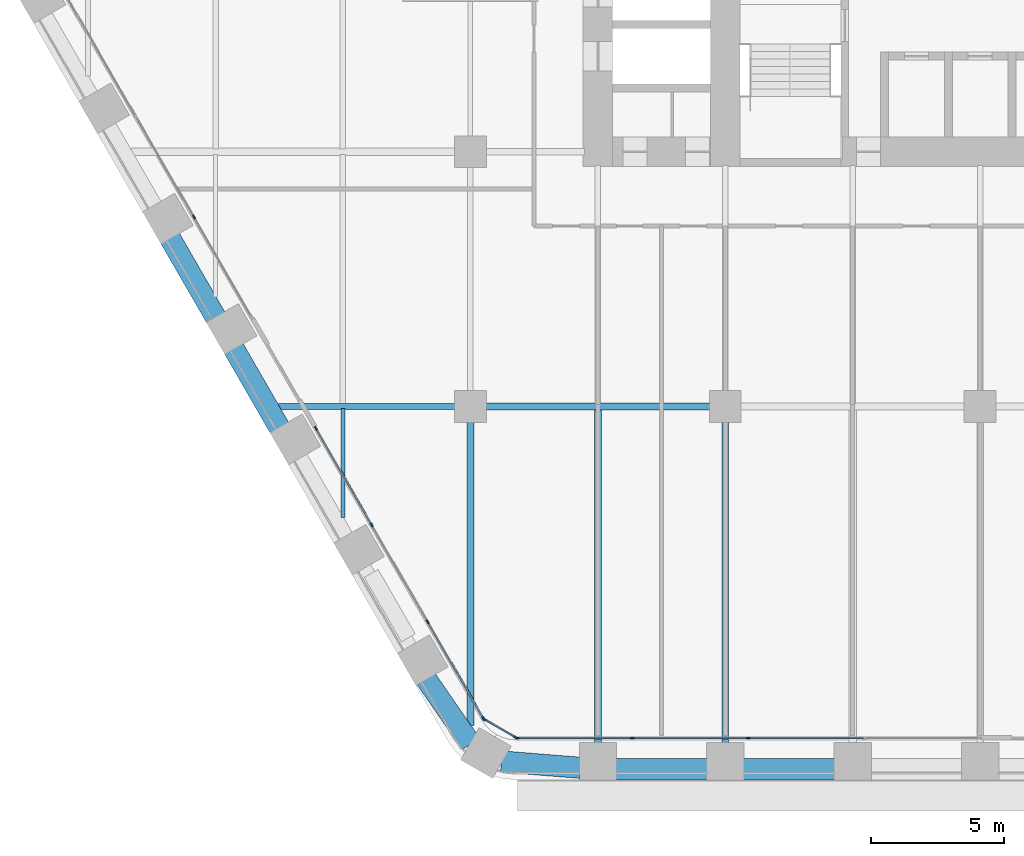
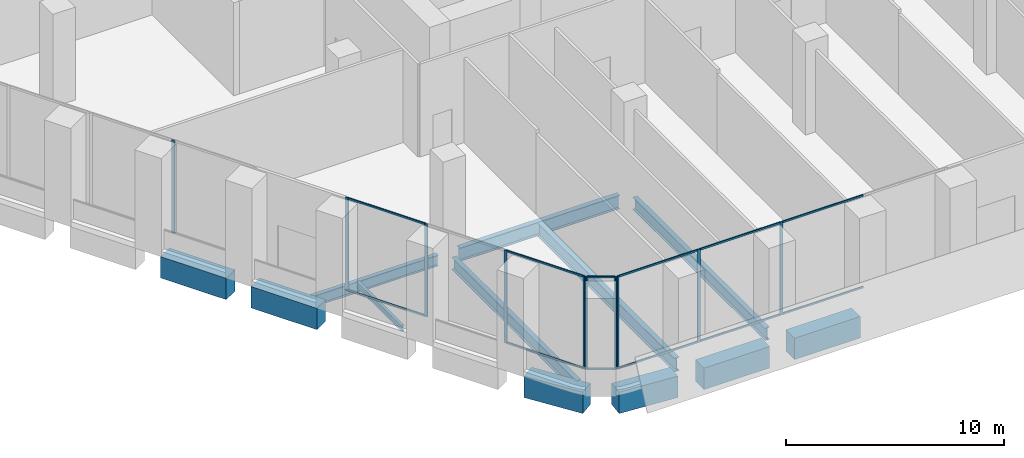
# One storey, part 2 of 27: 22 members, 12 beams, 4 elements without a shape of their own.
"""IFC4 building model written with IfcOpenShell, lengths in metres."""

from ifc_helpers import new_model, si_unit, direction, frame, origin, origin_2d, place, context, subcontext, project, spatial, rectangle, i_section, extrude, material, material_profile, profile_set, type_object, element, aggregate, save


model = new_model("IFC4")

# Units and contexts
model_context = context("Model", 3, precision=1e-05, world=origin(), true_north=direction((0.0, 1.0)))
body_context = subcontext(model_context, "Body", "Model", "MODEL_VIEW")
ifc_project = project(units=[si_unit("LENGTHUNIT", "METRE"), si_unit("AREAUNIT", "SQUARE_METRE"), si_unit("VOLUMEUNIT", "CUBIC_METRE"), si_unit("PLANEANGLEUNIT", "RADIAN"), si_unit("MASSUNIT", "GRAM", prefix="KILO")], contexts=[model_context])

# Site, building, storey
site_placement = place(None, origin())
site = spatial("IfcSite", under=ifc_project, at=site_placement, CompositionType="ELEMENT")
building_placement = place(site_placement, origin())
building = spatial("IfcBuilding", under=site, at=building_placement, Name="Kolab Exchange Tower", CompositionType="ELEMENT")
storey_placement = place(building_placement, frame((0.0, 0.0, 66.39990234375)))
storey = spatial("IfcBuildingStorey", under=building, at=storey_placement, Name="L12", CompositionType="ELEMENT", Elevation=66.39990234375)

# Beams
ifc_material_1 = material(Name="Steel S355", Category="steel")
ifc_material_profile_1 = material_profile(ifc_material_1, i_section(OverallWidth=0.1650390625, OverallDepth=0.31005859375, WebThickness=0.005859375, FlangeThickness=0.009765625, at=origin_2d()), Name="W310X39")
ifc_profile_set_1 = profile_set([ifc_material_profile_1], Name="Steel S355")
beam_type_1 = type_object("IfcBeamType", Name="FLOOR BEAM W310X39", PredefinedType="BEAM", material=ifc_profile_set_1)
beam_1_placement = place(storey_placement, frame((-24.0, -23.381591796875, -0.454833984375), z_axis=(0.0, 1.0, 0.0), x_axis=(-1.0, 0.0, 0.0)))
element("IfcBeam", 1, at=beam_1_placement, inside=storey, type_object=beam_type_1, Name="beam/L12/fr/006", PredefinedType="BEAM", context=body_context, shape_type="SweptSolid", body=[
    extrude(i_section(OverallWidth=0.1650390625, OverallDepth=0.31005859375, WebThickness=0.005859375, FlangeThickness=0.009765625, at=origin_2d()), origin(), (0.0, 0.0, 1.0), 4.107666015625),
])
ifc_material_profile_2 = material_profile(ifc_material_1, i_section(OverallWidth=0.25390625, OverallDepth=0.68408203125, WebThickness=0.012451171875, FlangeThickness=0.018798828125, at=origin_2d()), Name="W690X140")
ifc_profile_set_2 = profile_set([ifc_material_profile_2], Name="Steel S355")
beam_type_2 = type_object("IfcBeamType", Name="FLOOR BEAM W690X140", PredefinedType="BEAM", material=ifc_profile_set_2)
beam_2_placement = place(storey_placement, frame((-19.199951171875, -31.214599609375, -0.641845703125), z_axis=(0.0, 1.0, 0.0), x_axis=(-1.0, 0.0, 0.0)))
element("IfcBeam", 2, at=beam_2_placement, inside=storey, type_object=beam_type_2, Name="beam/L12/fr/012", PredefinedType="BEAM", context=body_context, shape_type="SweptSolid", body=[
    extrude(i_section(OverallWidth=0.25390625, OverallDepth=0.68408203125, WebThickness=0.012451171875, FlangeThickness=0.018798828125, at=origin_2d()), origin(), (0.0, 0.0, 1.0), 11.45458984375),
])
beam_3_placement = place(storey_placement, frame((-9.60009765625, -31.8955078125, -0.641845703125), z_axis=(0.0, 1.0, 0.0), x_axis=(-1.0, 0.0, 0.0)))
element("IfcBeam", 3, at=beam_3_placement, inside=storey, type_object=beam_type_2, Name="beam/L12/fr/022", PredefinedType="BEAM", context=body_context, shape_type="SweptSolid", body=[
    extrude(i_section(OverallWidth=0.25390625, OverallDepth=0.68408203125, WebThickness=0.012451171875, FlangeThickness=0.018798828125, at=origin_2d()), origin(), (0.0, 0.0, 1.0), 12.135498046875),
])
ifc_material_profile_3 = material_profile(ifc_material_1, i_section(OverallWidth=0.26708984375, OverallDepth=0.761962890625, WebThickness=0.014404296875, FlangeThickness=0.021484375, at=origin_2d()), Name="W760X173")
ifc_profile_set_3 = profile_set([ifc_material_profile_3], Name="Steel S355")
beam_type_3 = type_object("IfcBeamType", Name="FLOOR BEAM W760X173", PredefinedType="BEAM", material=ifc_profile_set_3)
beam_4_placement = place(storey_placement, frame((-14.39990234375, -31.8955078125, -0.680908203125), z_axis=(0.0, 1.0, 0.0), x_axis=(-1.0, 0.0, 0.0)))
element("IfcBeam", 4, at=beam_4_placement, inside=storey, type_object=beam_type_3, Name="beam/L12/fr/018", PredefinedType="BEAM", context=body_context, shape_type="SweptSolid", body=[
    extrude(i_section(OverallWidth=0.26708984375, OverallDepth=0.761962890625, WebThickness=0.014404296875, FlangeThickness=0.021484375, at=origin_2d()), origin(), (0.0, 0.0, 1.0), 12.60205078125),
])
ifc_material_profile_4 = material_profile(ifc_material_1, i_section(OverallWidth=0.22802734375, OverallDepth=0.60791015625, WebThickness=0.01123046875, FlangeThickness=0.017333984375, at=origin_2d()), Name="W610X113")
ifc_profile_set_4 = profile_set([ifc_material_profile_4], Name="Steel S355")
beam_type_4 = type_object("IfcBeamType", Name="FLOOR GIRDER W610X113", PredefinedType="BEAM", material=ifc_profile_set_4)
beam_5_placement = place(storey_placement, frame((-26.43115234375, -19.199951171875, -0.60400390625), z_axis=(1.0, 0.0, 0.0), x_axis=(0.0, 1.0, 0.0)))
element("IfcBeam", 5, at=beam_5_placement, inside=storey, type_object=beam_type_4, Name="beam/L12/gd/004", PredefinedType="BEAM", context=body_context, shape_type="SweptSolid", body=[
    extrude(i_section(OverallWidth=0.22802734375, OverallDepth=0.60791015625, WebThickness=0.01123046875, FlangeThickness=0.017333984375, at=origin_2d()), origin(), (0.0, 0.0, 1.0), 6.671142578125),
])
ifc_material_profile_5 = material_profile(ifc_material_1, i_section(OverallWidth=0.26708984375, OverallDepth=0.761962890625, WebThickness=0.014404296875, FlangeThickness=0.021484375, at=origin_2d()), Name="W760X173")
ifc_profile_set_5 = profile_set([ifc_material_profile_5], Name="Steel S355")
beam_type_5 = type_object("IfcBeamType", Name="FLOOR GIRDER W760X173", PredefinedType="BEAM", material=ifc_profile_set_5)
beam_6_placement = place(storey_placement, frame((-18.639892578125, -19.199951171875, -0.680908203125), z_axis=(1.0, 0.0, 0.0), x_axis=(0.0, 1.0, 0.0)))
element("IfcBeam", 6, at=beam_6_placement, inside=storey, type_object=beam_type_5, Name="beam/L12/gd/006", PredefinedType="BEAM", context=body_context, shape_type="SweptSolid", body=[
    extrude(i_section(OverallWidth=0.26708984375, OverallDepth=0.761962890625, WebThickness=0.014404296875, FlangeThickness=0.021484375, at=origin_2d()), origin(), (0.0, 0.0, 1.0), 8.47998046875),
])
ifc_material_2 = material(Name="Concrete C80/95", Category="concrete")
ifc_material_profile_6 = material_profile(ifc_material_2, rectangle(XDim=0.800048828125, YDim=1.199951171875, at=origin_2d()), Name="RC800X1200")
ifc_profile_set_6 = profile_set([ifc_material_profile_6], Name="Concrete C80/95")
beam_type_6 = type_object("IfcBeamType", Name="SPANDREL BEAM 800X1200 C80/95", PredefinedType="BEAM", material=ifc_profile_set_6)
for number, where, z_axis, x_axis, name in (
    (7, (-5.4599609375, -32.85546875, -0.89990234375), (-1.0, 0.0, 0.0), (0.0, -1.0, 0.0), "beam/L12/sp/F4-06"),
    (8, (-10.260009765625, -32.85546875, -0.89990234375), (-1.0, 0.0, 0.0), (0.0, -1.0, 0.0), "beam/L12/sp/F4-07"),
):
    element("IfcBeam", number, at=place(storey_placement, frame(where, z_axis=z_axis, x_axis=x_axis)), inside=storey, type_object=beam_type_6, Name=name, PredefinedType="BEAM", context=body_context, shape_type="SweptSolid", body=[
        extrude(rectangle(XDim=0.800048828125, YDim=1.199951171875, at=origin_2d()), origin(), (0.0, 0.0, 1.0), 3.47998046875),
    ])
beam_7_placement = place(storey_placement, frame((-15.06005859375, -32.802734375, -0.89990234375), z_axis=(-0.996833978278, 0.07951112973, 0.0), x_axis=(-0.07951112973, -0.996833978278, 0.0)))
element("IfcBeam", 9, at=beam_7_placement, inside=storey, type_object=beam_type_6, Name="beam/L12/sp/F4-08", PredefinedType="BEAM", context=body_context, shape_type="SweptSolid", body=[
    extrude(rectangle(XDim=0.800048828125, YDim=1.199951171875, at=origin_2d()), origin(), (0.0, 0.0, 1.0), 2.984619140625),
])
beam_8_placement = place(storey_placement, frame((-19.18505859375, -31.901611328125, -0.89990234375), z_axis=(-0.567247290755, 0.823547516013, 0.0), x_axis=(-0.823547516013, -0.567247290755, 0.0)))
element("IfcBeam", 10, at=beam_8_placement, inside=storey, type_object=beam_type_6, Name="beam/L12/sp/F5-01", PredefinedType="BEAM", context=body_context, shape_type="SweptSolid", body=[
    extrude(rectangle(XDim=0.800048828125, YDim=1.199951171875, at=origin_2d()), origin(), (0.0, 0.0, 1.0), 2.984375),
])
beam_9_placement = place(storey_placement, frame((-26.383544921875, -20.012939453125, -0.89990234375), z_axis=(-0.500009906705, 0.86601968407, 0.0), x_axis=(-0.86601968407, -0.500009906705, 0.0)))
element("IfcBeam", 11, at=beam_9_placement, inside=storey, type_object=beam_type_6, Name="beam/L12/sp/F5-04", PredefinedType="BEAM", context=body_context, shape_type="SweptSolid", body=[
    extrude(rectangle(XDim=0.800048828125, YDim=1.199951171875, at=origin_2d()), origin(), (0.0, 0.0, 1.0), 3.47998046875),
])
beam_10_placement = place(storey_placement, frame((-28.78369140625, -15.856201171875, -0.89990234375), z_axis=(-0.499979528911, 0.866037222451, 0.0), x_axis=(-0.866037222451, -0.499979528911, 0.0)))
element("IfcBeam", 12, at=beam_10_placement, inside=storey, type_object=beam_type_6, Name="beam/L12/sp/F5-05", PredefinedType="BEAM", context=body_context, shape_type="SweptSolid", body=[
    extrude(rectangle(XDim=0.800048828125, YDim=1.199951171875, at=origin_2d()), origin(), (0.0, 0.0, 1.0), 3.480224609375),
])

# Curtain wall, members
ifc_material_3 = material(Name="Aluminium EN AW-6063 T6", Category="aluminium")
curtain_wall_type = type_object("IfcCurtainWallType", Name="UNITISED LOW ZONE CURTAIN WALL", PredefinedType="NOTDEFINED", material=ifc_material_3)
curtain_wall_1_placement = place(storey_placement, origin())
curtain_wall_1 = element("IfcCurtainWall", 13, at=curtain_wall_1_placement, inside=storey, type_object=curtain_wall_type, Name="cw/L12/F4-2", PredefinedType="NOTDEFINED")
ifc_material_profile_7 = material_profile(ifc_material_3, rectangle(XDim=0.06005859375, YDim=0.159912109375, at=origin_2d()), Name="RECT 60X160")
ifc_profile_set_7 = profile_set([ifc_material_profile_7], Name="Aluminium EN AW-6063 T6")
member_type_1 = type_object("IfcMemberType", Name="UNITISED LOW ZONE MULLION 60 X 160", PredefinedType="MULLION", material=ifc_profile_set_7)
member_1_placement = place(storey_placement, frame((-8.73388671875, -31.67529296875, 0.0), z_axis=(0.0, 0.0, 1.0), x_axis=(0.0, -1.0, 0.0)))
member_1 = element("IfcMember", 14, at=member_1_placement, type_object=member_type_1, Name="CW1 mullion 3", PredefinedType="MULLION", context=body_context, shape_type="SweptSolid", body=[
    extrude(rectangle(XDim=0.06005859375, YDim=0.159912109375, at=origin_2d()), origin(), (0.0, 0.0, 1.0), 5.2001953125),
])
member_2_placement = place(storey_placement, frame((-13.10107421875, -31.67529296875, 0.0), z_axis=(0.0, 0.0, 1.0), x_axis=(0.0, -1.0, 0.0)))
member_2 = element("IfcMember", 15, at=member_2_placement, type_object=member_type_1, Name="CW1 mullion 4", PredefinedType="MULLION", context=body_context, shape_type="SweptSolid", body=[
    extrude(rectangle(XDim=0.06005859375, YDim=0.159912109375, at=origin_2d()), origin(), (0.0, 0.0, 1.0), 5.2001953125),
])
member_3_placement = place(storey_placement, frame((-17.43798828125, -31.67529296875, 0.0), z_axis=(0.0, 0.0, 1.0), x_axis=(0.0, -1.0, 0.0)))
member_3 = element("IfcMember", 16, at=member_3_placement, type_object=member_type_1, Name="CW1 mullion 5", PredefinedType="MULLION", context=body_context, shape_type="SweptSolid", body=[
    extrude(rectangle(XDim=0.06005859375, YDim=0.159912109375, at=origin_2d()), origin(), (0.0, 0.0, 1.0), 5.2001953125),
])

curtain_wall_2_placement = place(storey_placement, origin())
curtain_wall_2 = element("IfcCurtainWall", 17, at=curtain_wall_2_placement, inside=storey, type_object=curtain_wall_type, Name="cw/L12/F5-1", PredefinedType="NOTDEFINED")
member_4_placement = place(storey_placement, frame((-18.712646484375, -30.939453125, 0.0), z_axis=(0.0, 0.0, 1.0), x_axis=(-0.866025393644, -0.500000017564, 0.0)))
member_4 = element("IfcMember", 18, at=member_4_placement, type_object=member_type_1, Name="CW1 mullion 1", PredefinedType="MULLION", context=body_context, shape_type="SweptSolid", body=[
    extrude(rectangle(XDim=0.06005859375, YDim=0.159912109375, at=origin_2d()), origin(), (0.0, 0.0, 1.0), 5.2001953125),
])
member_5_placement = place(storey_placement, frame((-20.80908203125, -27.308349609375, 0.0), z_axis=(0.0, 0.0, 1.0), x_axis=(-0.866025393644, -0.500000017564, 0.0)))
member_5 = element("IfcMember", 19, at=member_5_placement, type_object=member_type_1, Name="CW1 mullion 2", PredefinedType="MULLION", context=body_context, shape_type="SweptSolid", body=[
    extrude(rectangle(XDim=0.06005859375, YDim=0.159912109375, at=origin_2d()), origin(), (0.0, 0.0, 1.0), 5.2001953125),
])
member_6_placement = place(storey_placement, frame((-22.92041015625, -23.651611328125, 0.0), z_axis=(0.0, 0.0, 1.0), x_axis=(-0.866025393644, -0.500000017564, 0.0)))
member_6 = element("IfcMember", 20, at=member_6_placement, type_object=member_type_1, Name="CW1 mullion 3", PredefinedType="MULLION", context=body_context, shape_type="SweptSolid", body=[
    extrude(rectangle(XDim=0.06005859375, YDim=0.159912109375, at=origin_2d()), origin(), (0.0, 0.0, 1.0), 5.2001953125),
])
member_7_placement = place(storey_placement, frame((-25.0166015625, -20.0205078125, 0.0), z_axis=(0.0, 0.0, 1.0), x_axis=(-0.866025393644, -0.500000017564, 0.0)))
member_7 = element("IfcMember", 21, at=member_7_placement, type_object=member_type_1, Name="CW1 mullion 4", PredefinedType="MULLION", context=body_context, shape_type="SweptSolid", body=[
    extrude(rectangle(XDim=0.06005859375, YDim=0.159912109375, at=origin_2d()), origin(), (0.0, 0.0, 1.0), 5.2001953125),
])

# Curtain wall, member
curtain_wall_3_placement = place(storey_placement, origin())
curtain_wall_3 = element("IfcCurtainWall", 22, at=curtain_wall_3_placement, inside=storey, type_object=curtain_wall_type, Name="cw/L12/F5-2", PredefinedType="NOTDEFINED")
member_8_placement = place(storey_placement, frame((-29.615234375, -12.0556640625, 0.0), z_axis=(0.0, 0.0, 1.0), x_axis=(-0.866025422102, -0.499999968274, 0.0)))
member_8 = element("IfcMember", 23, at=member_8_placement, type_object=member_type_1, Name="CW1 mullion 2", PredefinedType="MULLION", context=body_context, shape_type="SweptSolid", body=[
    extrude(rectangle(XDim=0.06005859375, YDim=0.159912109375, at=origin_2d()), origin(), (0.0, 0.0, 1.0), 5.2001953125),
])
aggregate(curtain_wall_3, [member_8])

# Curtain wall, members
curtain_wall_4_placement = place(storey_placement, origin())
curtain_wall_4 = element("IfcCurtainWall", 24, at=curtain_wall_4_placement, inside=storey, type_object=curtain_wall_type, Name="cw/L12/F4F5-corner", PredefinedType="NOTDEFINED")
member_9_placement = place(storey_placement, frame((-17.493896484375, -31.660400390625, 0.0), z_axis=(0.0, 0.0, 1.0), x_axis=(-0.50000002237, -0.866025390869, 0.0)))
member_9 = element("IfcMember", 25, at=member_9_placement, type_object=member_type_1, Name="CW1 mullion 1", PredefinedType="MULLION", context=body_context, shape_type="SweptSolid", body=[
    extrude(rectangle(XDim=0.06005859375, YDim=0.159912109375, at=origin_2d()), origin(), (0.0, 0.0, 1.0), 5.2001953125),
])
member_10_placement = place(storey_placement, frame((-18.671630859375, -30.98046875, 0.0), z_axis=(0.0, 0.0, 1.0), x_axis=(-0.50000002237, -0.866025390869, 0.0)))
member_10 = element("IfcMember", 26, at=member_10_placement, type_object=member_type_1, Name="CW1 mullion 2", PredefinedType="MULLION", context=body_context, shape_type="SweptSolid", body=[
    extrude(rectangle(XDim=0.06005859375, YDim=0.159912109375, at=origin_2d()), origin(), (0.0, 0.0, 1.0), 5.2001953125),
])

# Member
ifc_material_profile_8 = material_profile(ifc_material_3, rectangle(XDim=0.06005859375, YDim=0.10009765625, at=origin_2d()), Name="RECT 60X100")
ifc_profile_set_8 = profile_set([ifc_material_profile_8], Name="Aluminium EN AW-6063 T6")
member_type_2 = type_object("IfcMemberType", Name="UNITISED LOW ZONE TRANSOM 60 X 100", PredefinedType="USERDEFINED", material=ifc_profile_set_8)
member_11_placement = place(storey_placement, frame((-4.39697265625, -31.67529296875, 0.030029296875), z_axis=(-1.0, 0.0, 0.0), x_axis=(0.0, -1.0, 0.0)))
member_11 = element("IfcMember", 27, at=member_11_placement, type_object=member_type_2, Name="CW1 transom 2.1", ObjectType="TRANSOM", PredefinedType="USERDEFINED", context=body_context, shape_type="SweptSolid", body=[
    extrude(rectangle(XDim=0.06005859375, YDim=0.10009765625, at=origin_2d()), origin(), (0.0, 0.0, 1.0), 4.306884765625),
])

member_12_placement = place(storey_placement, frame((-4.39697265625, -31.67529296875, 5.170166015625), z_axis=(-1.0, 0.0, 0.0), x_axis=(0.0, -1.0, 0.0)))
member_12 = element("IfcMember", 28, at=member_12_placement, type_object=member_type_2, Name="CW1 transom 2.2", ObjectType="TRANSOM", PredefinedType="USERDEFINED", context=body_context, shape_type="SweptSolid", body=[
    extrude(rectangle(XDim=0.06005859375, YDim=0.10009765625, at=origin_2d()), origin(), (0.0, 0.0, 1.0), 4.306884765625),
])

member_13_placement = place(storey_placement, frame((-8.763916015625, -31.67529296875, 0.030029296875), z_axis=(-1.0, 0.0, 0.0), x_axis=(0.0, -1.0, 0.0)))
member_13 = element("IfcMember", 29, at=member_13_placement, type_object=member_type_2, Name="CW1 transom 3.1", ObjectType="TRANSOM", PredefinedType="USERDEFINED", context=body_context, shape_type="SweptSolid", body=[
    extrude(rectangle(XDim=0.06005859375, YDim=0.10009765625, at=origin_2d()), origin(), (0.0, 0.0, 1.0), 4.30712890625),
])

member_14_placement = place(storey_placement, frame((-8.763916015625, -31.67529296875, 5.170166015625), z_axis=(-1.0, 0.0, 0.0), x_axis=(0.0, -1.0, 0.0)))
member_14 = element("IfcMember", 30, at=member_14_placement, type_object=member_type_2, Name="CW1 transom 3.2", ObjectType="TRANSOM", PredefinedType="USERDEFINED", context=body_context, shape_type="SweptSolid", body=[
    extrude(rectangle(XDim=0.06005859375, YDim=0.10009765625, at=origin_2d()), origin(), (0.0, 0.0, 1.0), 4.30712890625),
])

member_15_placement = place(storey_placement, frame((-13.130859375, -31.67529296875, 0.030029296875), z_axis=(-1.0, 0.0, 0.0), x_axis=(0.0, -1.0, 0.0)))
member_15 = element("IfcMember", 31, at=member_15_placement, type_object=member_type_2, Name="CW1 transom 4.1", ObjectType="TRANSOM", PredefinedType="USERDEFINED", context=body_context, shape_type="SweptSolid", body=[
    extrude(rectangle(XDim=0.06005859375, YDim=0.10009765625, at=origin_2d()), origin(), (0.0, 0.0, 1.0), 4.277099609375),
])

member_16_placement = place(storey_placement, frame((-13.130859375, -31.67529296875, 5.170166015625), z_axis=(-1.0, 0.0, 0.0), x_axis=(0.0, -1.0, 0.0)))
member_16 = element("IfcMember", 32, at=member_16_placement, type_object=member_type_2, Name="CW1 transom 4.2", ObjectType="TRANSOM", PredefinedType="USERDEFINED", context=body_context, shape_type="SweptSolid", body=[
    extrude(rectangle(XDim=0.06005859375, YDim=0.10009765625, at=origin_2d()), origin(), (0.0, 0.0, 1.0), 4.277099609375),
])

aggregate(curtain_wall_1, [member_1, member_2, member_3, member_11, member_12, member_13, member_14, member_15, member_16])

member_17_placement = place(storey_placement, frame((-18.727783203125, -30.913330078125, 0.030029296875), z_axis=(-0.499983268986, 0.866035063224, 0.0), x_axis=(-0.866035063224, -0.499983268986, 0.0)))
member_17 = element("IfcMember", 33, at=member_17_placement, type_object=member_type_2, Name="CW1 transom 1.1", ObjectType="TRANSOM", PredefinedType="USERDEFINED", context=body_context, shape_type="SweptSolid", body=[
    extrude(rectangle(XDim=0.06005859375, YDim=0.10009765625, at=origin_2d()), origin(), (0.0, 0.0, 1.0), 4.132568359375),
])

member_18_placement = place(storey_placement, frame((-18.727783203125, -30.913330078125, 5.170166015625), z_axis=(-0.499983268986, 0.866035063224, 0.0), x_axis=(-0.866035063224, -0.499983268986, 0.0)))
member_18 = element("IfcMember", 34, at=member_18_placement, type_object=member_type_2, Name="CW1 transom 1.2", ObjectType="TRANSOM", PredefinedType="USERDEFINED", context=body_context, shape_type="SweptSolid", body=[
    extrude(rectangle(XDim=0.06005859375, YDim=0.10009765625, at=origin_2d()), origin(), (0.0, 0.0, 1.0), 4.132568359375),
])

member_19_placement = place(storey_placement, frame((-22.935302734375, -23.62548828125, 0.030029296875), z_axis=(-0.500027577057, 0.866009481578, 0.0), x_axis=(-0.866009481578, -0.500027577057, 0.0)))
member_19 = element("IfcMember", 35, at=member_19_placement, type_object=member_type_2, Name="CW1 transom 3.1", ObjectType="TRANSOM", PredefinedType="USERDEFINED", context=body_context, shape_type="SweptSolid", body=[
    extrude(rectangle(XDim=0.06005859375, YDim=0.10009765625, at=origin_2d()), origin(), (0.0, 0.0, 1.0), 4.132568359375),
])

member_20_placement = place(storey_placement, frame((-22.935302734375, -23.62548828125, 5.170166015625), z_axis=(-0.500027577057, 0.866009481578, 0.0), x_axis=(-0.866009481578, -0.500027577057, 0.0)))
member_20 = element("IfcMember", 36, at=member_20_placement, type_object=member_type_2, Name="CW1 transom 3.2", ObjectType="TRANSOM", PredefinedType="USERDEFINED", context=body_context, shape_type="SweptSolid", body=[
    extrude(rectangle(XDim=0.06005859375, YDim=0.10009765625, at=origin_2d()), origin(), (0.0, 0.0, 1.0), 4.132568359375),
])

aggregate(curtain_wall_2, [member_4, member_5, member_6, member_7, member_17, member_18, member_19, member_20])

member_21_placement = place(storey_placement, frame((-17.52001953125, -31.645263671875, 0.030029296875), z_axis=(-0.86603858612, 0.49997716683, 0.0), x_axis=(-0.49997716683, -0.86603858612, 0.0)))
member_21 = element("IfcMember", 37, at=member_21_placement, type_object=member_type_2, Name="CW1 transom 1.1", ObjectType="TRANSOM", PredefinedType="USERDEFINED", context=body_context, shape_type="SweptSolid", body=[
    extrude(rectangle(XDim=0.06005859375, YDim=0.10009765625, at=origin_2d()), origin(), (0.0, 0.0, 1.0), 1.2998046875),
])

member_22_placement = place(storey_placement, frame((-17.52001953125, -31.645263671875, 5.170166015625), z_axis=(-0.86603858612, 0.49997716683, 0.0), x_axis=(-0.49997716683, -0.86603858612, 0.0)))
member_22 = element("IfcMember", 38, at=member_22_placement, type_object=member_type_2, Name="CW1 transom 1.2", ObjectType="TRANSOM", PredefinedType="USERDEFINED", context=body_context, shape_type="SweptSolid", body=[
    extrude(rectangle(XDim=0.06005859375, YDim=0.10009765625, at=origin_2d()), origin(), (0.0, 0.0, 1.0), 1.2998046875),
])

aggregate(curtain_wall_4, [member_9, member_10, member_21, member_22])

save(model, "model.ifc")
